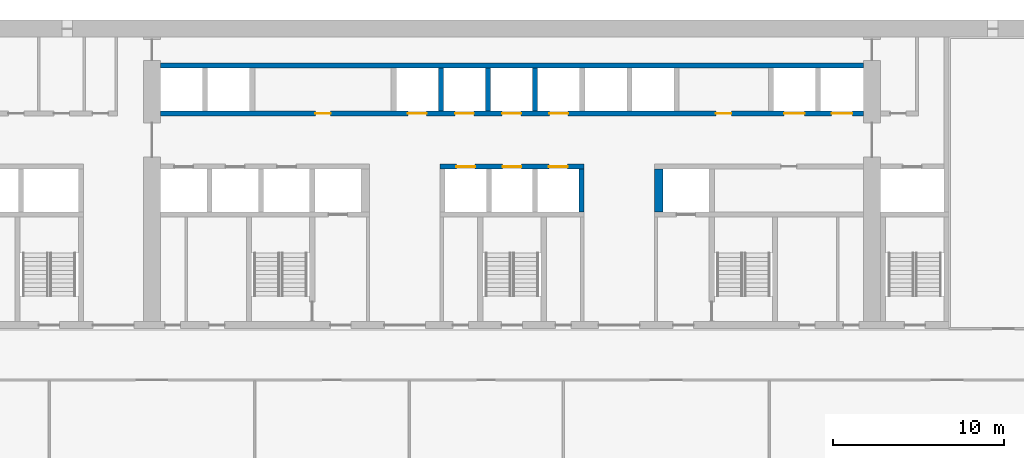
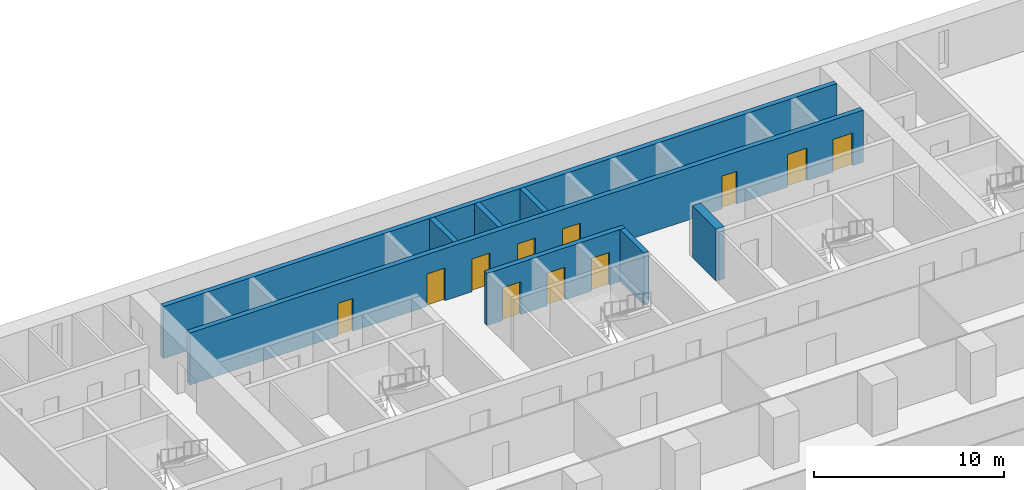
# One storey, part 11 of 17: 11 doors, 8 walls, 11 openings.
"""IFC4 building model written with IfcOpenShell, lengths in metres."""

from ifc_helpers import new_model, si_unit, direction, frame, frame_2d, origin, place, context, subcontext, project, spatial, rectangle, extrude, material, layer, layer_set, type_object, element, fill, save


model = new_model("IFC4")

# Units and contexts
model_context = context("Model", 3, precision=1e-05, world=origin(), true_north=direction((0.0, 1.0)))
body_context = subcontext(model_context, "Body", "Model", "MODEL_VIEW")
ifc_project = project(units=[si_unit("LENGTHUNIT", "METRE"), si_unit("AREAUNIT", "SQUARE_METRE"), si_unit("VOLUMEUNIT", "CUBIC_METRE"), si_unit("PLANEANGLEUNIT", "RADIAN"), si_unit("MASSUNIT", "GRAM", prefix="KILO")], contexts=[model_context])

# Site, building, storey
site_placement = place(None, origin())
site = spatial("IfcSite", under=ifc_project, at=site_placement, CompositionType="ELEMENT")
building_placement = place(site_placement, origin())
building = spatial("IfcBuilding", under=site, at=building_placement, Name="Calvaro Tower", CompositionType="ELEMENT")
storey_placement = place(building_placement, frame((0.0, 0.0, 75.0)))
storey = spatial("IfcBuildingStorey", under=building, at=storey_placement, Name="L18", CompositionType="ELEMENT", Elevation=75.0)

# Wall, openings, doors
ifc_material_1 = material(Name="Concrete C80/95", Category="concrete")
ifc_layer_1 = layer(ifc_material_1, 0.300048828125)
ifc_layer_set_1 = layer_set([ifc_layer_1], Name="Concrete C80/95")
wall_type_1 = type_object("IfcWallType", Name="Core wall C80/95 300", PredefinedType="SHEAR", material=ifc_layer_set_1)
wall_1_placement = place(storey_placement, frame((34.800048828125, 37.449951171875, 0.0), z_axis=(0.0, 0.0, 1.0), x_axis=(1.0, 0.0, 0.0)))
wall_1 = element("IfcWall", 1, at=wall_1_placement, inside=storey, type_object=wall_type_1, Name="Core wall, lift shaft", PredefinedType="SHEAR", context=body_context, shape_type="SweptSolid", body=[
    extrude(rectangle(XDim=8.39990234375, YDim=0.300048828125, at=frame_2d((4.199951171875, 0.0))), origin(), (0.0, 0.0, 1.0), 3.35009765625),
])
opening_1_placement = place(wall_1_placement, frame((0.949951171875, 0.0, 0.0)))
opening_1 = element("IfcOpeningElement", 2, at=opening_1_placement, cuts=wall_1, Name="Opening LR4", PredefinedType="OPENING", context=body_context, shape_type="SweptSolid", body=[
    extrude(rectangle(XDim=1.10009765625, YDim=2.10009765625, at=frame_2d((0.550048828125, 1.050048828125))), frame((0.0, 0.159912109375, 0.0), z_axis=(0.0, -1.0, 0.0), x_axis=(1.0, 0.0, 0.0)), (0.0, 0.0, 1.0), 0.320068359375),
])
opening_2_placement = place(wall_1_placement, frame((3.64990234375, 0.0, 0.0)))
opening_2 = element("IfcOpeningElement", 3, at=opening_2_placement, cuts=wall_1, Name="Opening LR5", PredefinedType="OPENING", context=body_context, shape_type="SweptSolid", body=[
    extrude(rectangle(XDim=1.10009765625, YDim=2.10009765625, at=frame_2d((0.550048828125, 1.050048828125))), frame((0.0, 0.159912109375, 0.0), z_axis=(0.0, -1.0, 0.0), x_axis=(1.0, 0.0, 0.0)), (0.0, 0.0, 1.0), 0.320068359375),
])
opening_3_placement = place(wall_1_placement, frame((6.35009765625, 0.0, 0.0)))
opening_3 = element("IfcOpeningElement", 4, at=opening_3_placement, cuts=wall_1, Name="Opening LR6", PredefinedType="OPENING", context=body_context, shape_type="SweptSolid", body=[
    extrude(rectangle(XDim=1.10009765625, YDim=2.10009765625, at=frame_2d((0.550048828125, 1.050048828125))), frame((0.0, 0.159912109375, 0.0), z_axis=(0.0, -1.0, 0.0), x_axis=(1.0, 0.0, 0.0)), (0.0, 0.0, 1.0), 0.320068359375),
])
ifc_material_2 = material(Name="Stainless steel", Category="steel")
door_type_1 = type_object("IfcDoorType", Name="Landing door 1100 E 60", OperationType="SLIDING_TO_LEFT", PredefinedType="DOOR", material=ifc_material_2)
door_1_placement = place(opening_1_placement, origin())
door_1 = element("IfcDoor", 5, at=door_1_placement, inside=storey, type_object=door_type_1, Name="Landing door LR4", OperationType="SLIDING_TO_LEFT", OverallHeight=2.10009765625, OverallWidth=1.10009765625, PredefinedType="DOOR", context=body_context, shape_type="SweptSolid", body=[
    extrude(rectangle(XDim=1.10009765625, YDim=2.10009765625, at=frame_2d((0.550048828125, 1.050048828125))), frame((0.0, 0.02490234375, 0.0), z_axis=(0.0, -1.0, 0.0), x_axis=(1.0, 0.0, 0.0)), (0.0, 0.0, 1.0), 0.050048828125),
])
fill(opening_1, door_1)
door_2_placement = place(opening_2_placement, origin())
door_2 = element("IfcDoor", 6, at=door_2_placement, inside=storey, type_object=door_type_1, Name="Landing door LR5", OperationType="SLIDING_TO_LEFT", OverallHeight=2.10009765625, OverallWidth=1.10009765625, PredefinedType="DOOR", context=body_context, shape_type="SweptSolid", body=[
    extrude(rectangle(XDim=1.10009765625, YDim=2.10009765625, at=frame_2d((0.550048828125, 1.050048828125))), frame((0.0, 0.02490234375, 0.0), z_axis=(0.0, -1.0, 0.0), x_axis=(1.0, 0.0, 0.0)), (0.0, 0.0, 1.0), 0.050048828125),
])
fill(opening_2, door_2)
door_3_placement = place(opening_3_placement, origin())
door_3 = element("IfcDoor", 7, at=door_3_placement, inside=storey, type_object=door_type_1, Name="Landing door LR6", OperationType="SLIDING_TO_LEFT", OverallHeight=2.10009765625, OverallWidth=1.10009765625, PredefinedType="DOOR", context=body_context, shape_type="SweptSolid", body=[
    extrude(rectangle(XDim=1.10009765625, YDim=2.10009765625, at=frame_2d((0.550048828125, 1.050048828125))), frame((0.0, 0.02490234375, 0.0), z_axis=(0.0, -1.0, 0.0), x_axis=(1.0, 0.0, 0.0)), (0.0, 0.0, 1.0), 0.050048828125),
])
fill(opening_3, door_3)

# Wall
wall_2_placement = place(storey_placement, frame((43.050048828125, 34.800048828125, 0.0), z_axis=(0.0, 0.0, 1.0), x_axis=(0.0, 1.0, 0.0)))
element("IfcWall", 8, at=wall_2_placement, inside=storey, type_object=wall_type_1, Name="Core wall, lift shaft", PredefinedType="SHEAR", context=body_context, shape_type="SweptSolid", body=[
    extrude(rectangle(XDim=2.5, YDim=0.300048828125, at=frame_2d((1.25, 0.0))), origin(), (0.0, 0.0, 1.0), 3.35009765625),
])

# Wall, openings, doors
wall_3_placement = place(storey_placement, frame((18.5, 40.550048828125, 0.0), z_axis=(0.0, 0.0, 1.0), x_axis=(1.0, 0.0, 0.0)))
wall_3 = element("IfcWall", 9, at=wall_3_placement, inside=storey, type_object=wall_type_1, Name="Core wall, bay", PredefinedType="SHEAR", context=body_context, shape_type="SweptSolid", body=[
    extrude(rectangle(XDim=41.0, YDim=0.300048828125, at=frame_2d((20.5, 0.0))), origin(), (0.0, 0.0, 1.0), 3.35009765625),
])
opening_4_placement = place(wall_3_placement, frame((9.02490234375, 0.0, 0.0)))
opening_4 = element("IfcOpeningElement", 10, at=opening_4_placement, cuts=wall_3, Name="Opening RD9E", PredefinedType="OPENING", context=body_context, shape_type="SweptSolid", body=[
    extrude(rectangle(XDim=0.89990234375, YDim=2.10009765625, at=frame_2d((0.449951171875, 1.050048828125))), frame((0.0, 0.159912109375, 0.0), z_axis=(0.0, -1.0, 0.0), x_axis=(1.0, 0.0, 0.0)), (0.0, 0.0, 1.0), 0.320068359375),
])
opening_5_placement = place(wall_3_placement, frame((32.39990234375, 0.0, 0.0)))
opening_5 = element("IfcOpeningElement", 11, at=opening_5_placement, cuts=wall_3, Name="Opening RD9E", PredefinedType="OPENING", context=body_context, shape_type="SweptSolid", body=[
    extrude(rectangle(XDim=0.89990234375, YDim=2.10009765625, at=frame_2d((0.449951171875, 1.050048828125))), frame((0.0, 0.159912109375, 0.0), z_axis=(0.0, -1.0, 0.0), x_axis=(1.0, 0.0, 0.0)), (0.0, 0.0, 1.0), 0.320068359375),
])
opening_6_placement = place(wall_3_placement, frame((14.425048828125, 0.0, 0.0)))
opening_6 = element("IfcOpeningElement", 12, at=opening_6_placement, cuts=wall_3, Name="Opening LR7", PredefinedType="OPENING", context=body_context, shape_type="SweptSolid", body=[
    extrude(rectangle(XDim=1.10009765625, YDim=2.10009765625, at=frame_2d((0.550048828125, 1.050048828125))), frame((0.0, 0.159912109375, 0.0), z_axis=(0.0, -1.0, 0.0), x_axis=(1.0, 0.0, 0.0)), (0.0, 0.0, 1.0), 0.320068359375),
])
opening_7_placement = place(wall_3_placement, frame((17.175048828125, 0.0, 0.0)))
opening_7 = element("IfcOpeningElement", 13, at=opening_7_placement, cuts=wall_3, Name="Opening LR8", PredefinedType="OPENING", context=body_context, shape_type="SweptSolid", body=[
    extrude(rectangle(XDim=1.10009765625, YDim=2.10009765625, at=frame_2d((0.550048828125, 1.050048828125))), frame((0.0, 0.159912109375, 0.0), z_axis=(0.0, -1.0, 0.0), x_axis=(1.0, 0.0, 0.0)), (0.0, 0.0, 1.0), 0.320068359375),
])
opening_8_placement = place(wall_3_placement, frame((19.925048828125, 0.0, 0.0)))
opening_8 = element("IfcOpeningElement", 14, at=opening_8_placement, cuts=wall_3, Name="Opening LR9", PredefinedType="OPENING", context=body_context, shape_type="SweptSolid", body=[
    extrude(rectangle(XDim=1.10009765625, YDim=2.10009765625, at=frame_2d((0.550048828125, 1.050048828125))), frame((0.0, 0.159912109375, 0.0), z_axis=(0.0, -1.0, 0.0), x_axis=(1.0, 0.0, 0.0)), (0.0, 0.0, 1.0), 0.320068359375),
])
opening_9_placement = place(wall_3_placement, frame((22.675048828125, 0.0, 0.0)))
opening_9 = element("IfcOpeningElement", 15, at=opening_9_placement, cuts=wall_3, Name="Opening LR10", PredefinedType="OPENING", context=body_context, shape_type="SweptSolid", body=[
    extrude(rectangle(XDim=1.10009765625, YDim=2.10009765625, at=frame_2d((0.550048828125, 1.050048828125))), frame((0.0, 0.159912109375, 0.0), z_axis=(0.0, -1.0, 0.0), x_axis=(1.0, 0.0, 0.0)), (0.0, 0.0, 1.0), 0.320068359375),
])
opening_10_placement = place(wall_3_placement, frame((36.375, 0.0, 0.0)))
opening_10 = element("IfcOpeningElement", 16, at=opening_10_placement, cuts=wall_3, Name="Opening SV1", PredefinedType="OPENING", context=body_context, shape_type="SweptSolid", body=[
    extrude(rectangle(XDim=1.199951171875, YDim=2.10009765625, at=frame_2d((0.60009765625, 1.050048828125))), frame((0.0, 0.159912109375, 0.0), z_axis=(0.0, -1.0, 0.0), x_axis=(1.0, 0.0, 0.0)), (0.0, 0.0, 1.0), 0.320068359375),
])
opening_11_placement = place(wall_3_placement, frame((39.14990234375, 0.0, 0.0)))
opening_11 = element("IfcOpeningElement", 17, at=opening_11_placement, cuts=wall_3, Name="Opening SV2", PredefinedType="OPENING", context=body_context, shape_type="SweptSolid", body=[
    extrude(rectangle(XDim=1.199951171875, YDim=2.10009765625, at=frame_2d((0.60009765625, 1.050048828125))), frame((0.0, 0.159912109375, 0.0), z_axis=(0.0, -1.0, 0.0), x_axis=(1.0, 0.0, 0.0)), (0.0, 0.0, 1.0), 0.320068359375),
])
door_4_placement = place(opening_6_placement, origin())
door_4 = element("IfcDoor", 18, at=door_4_placement, inside=storey, type_object=door_type_1, Name="Landing door LR7", OperationType="SLIDING_TO_LEFT", OverallHeight=2.10009765625, OverallWidth=1.10009765625, PredefinedType="DOOR", context=body_context, shape_type="SweptSolid", body=[
    extrude(rectangle(XDim=1.10009765625, YDim=2.10009765625, at=frame_2d((0.550048828125, 1.050048828125))), frame((0.0, 0.02490234375, 0.0), z_axis=(0.0, -1.0, 0.0), x_axis=(1.0, 0.0, 0.0)), (0.0, 0.0, 1.0), 0.050048828125),
])
fill(opening_6, door_4)
door_5_placement = place(opening_7_placement, origin())
door_5 = element("IfcDoor", 19, at=door_5_placement, inside=storey, type_object=door_type_1, Name="Landing door LR8", OperationType="SLIDING_TO_LEFT", OverallHeight=2.10009765625, OverallWidth=1.10009765625, PredefinedType="DOOR", context=body_context, shape_type="SweptSolid", body=[
    extrude(rectangle(XDim=1.10009765625, YDim=2.10009765625, at=frame_2d((0.550048828125, 1.050048828125))), frame((0.0, 0.02490234375, 0.0), z_axis=(0.0, -1.0, 0.0), x_axis=(1.0, 0.0, 0.0)), (0.0, 0.0, 1.0), 0.050048828125),
])
fill(opening_7, door_5)
door_6_placement = place(opening_8_placement, origin())
door_6 = element("IfcDoor", 20, at=door_6_placement, inside=storey, type_object=door_type_1, Name="Landing door LR9", OperationType="SLIDING_TO_LEFT", OverallHeight=2.10009765625, OverallWidth=1.10009765625, PredefinedType="DOOR", context=body_context, shape_type="SweptSolid", body=[
    extrude(rectangle(XDim=1.10009765625, YDim=2.10009765625, at=frame_2d((0.550048828125, 1.050048828125))), frame((0.0, 0.02490234375, 0.0), z_axis=(0.0, -1.0, 0.0), x_axis=(1.0, 0.0, 0.0)), (0.0, 0.0, 1.0), 0.050048828125),
])
fill(opening_8, door_6)
door_7_placement = place(opening_9_placement, origin())
door_7 = element("IfcDoor", 21, at=door_7_placement, inside=storey, type_object=door_type_1, Name="Landing door LR10", OperationType="SLIDING_TO_LEFT", OverallHeight=2.10009765625, OverallWidth=1.10009765625, PredefinedType="DOOR", context=body_context, shape_type="SweptSolid", body=[
    extrude(rectangle(XDim=1.10009765625, YDim=2.10009765625, at=frame_2d((0.550048828125, 1.050048828125))), frame((0.0, 0.02490234375, 0.0), z_axis=(0.0, -1.0, 0.0), x_axis=(1.0, 0.0, 0.0)), (0.0, 0.0, 1.0), 0.050048828125),
])
fill(opening_9, door_7)
ifc_material_3 = material(Name="Stainless steel", Category="steel")
door_type_2 = type_object("IfcDoorType", Name="Landing door 1200 E 60", OperationType="SLIDING_TO_LEFT", PredefinedType="DOOR", material=ifc_material_3)
door_8_placement = place(opening_10_placement, origin())
door_8 = element("IfcDoor", 22, at=door_8_placement, inside=storey, type_object=door_type_2, Name="Landing door SV1", OperationType="SLIDING_TO_LEFT", OverallHeight=2.10009765625, OverallWidth=1.199951171875, PredefinedType="DOOR", context=body_context, shape_type="SweptSolid", body=[
    extrude(rectangle(XDim=1.199951171875, YDim=2.10009765625, at=frame_2d((0.60009765625, 1.050048828125))), frame((0.0, 0.02490234375, 0.0), z_axis=(0.0, -1.0, 0.0), x_axis=(1.0, 0.0, 0.0)), (0.0, 0.0, 1.0), 0.050048828125),
])
fill(opening_10, door_8)
door_9_placement = place(opening_11_placement, origin())
door_9 = element("IfcDoor", 23, at=door_9_placement, inside=storey, type_object=door_type_2, Name="Landing door SV2", OperationType="SLIDING_TO_LEFT", OverallHeight=2.10009765625, OverallWidth=1.199951171875, PredefinedType="DOOR", context=body_context, shape_type="SweptSolid", body=[
    extrude(rectangle(XDim=1.199951171875, YDim=2.10009765625, at=frame_2d((0.60009765625, 1.050048828125))), frame((0.0, 0.02490234375, 0.0), z_axis=(0.0, -1.0, 0.0), x_axis=(1.0, 0.0, 0.0)), (0.0, 0.0, 1.0), 0.050048828125),
])
fill(opening_11, door_9)
ifc_material_4 = material(Name="Steel door set", Category="steel")
door_type_3 = type_object("IfcDoorType", Name="Room door 900 FD60", OperationType="SINGLE_SWING_LEFT", PredefinedType="DOOR", material=ifc_material_4)
door_10_placement = place(opening_4_placement, origin())
door_10 = element("IfcDoor", 24, at=door_10_placement, inside=storey, type_object=door_type_3, Name="Room door", OperationType="SINGLE_SWING_RIGHT", OverallHeight=2.10009765625, OverallWidth=0.89990234375, PredefinedType="DOOR", context=body_context, shape_type="SweptSolid", body=[
    extrude(rectangle(XDim=0.89990234375, YDim=2.10009765625, at=frame_2d((0.449951171875, 1.050048828125))), frame((0.0, 0.02490234375, 0.0), z_axis=(0.0, -1.0, 0.0), x_axis=(1.0, 0.0, 0.0)), (0.0, 0.0, 1.0), 0.050048828125),
])
fill(opening_4, door_10)
door_11_placement = place(opening_5_placement, origin())
door_11 = element("IfcDoor", 25, at=door_11_placement, inside=storey, type_object=door_type_3, Name="Room door", OperationType="SINGLE_SWING_LEFT", OverallHeight=2.10009765625, OverallWidth=0.89990234375, PredefinedType="DOOR", context=body_context, shape_type="SweptSolid", body=[
    extrude(rectangle(XDim=0.89990234375, YDim=2.10009765625, at=frame_2d((0.449951171875, 1.050048828125))), frame((0.0, 0.02490234375, 0.0), z_axis=(0.0, -1.0, 0.0), x_axis=(1.0, 0.0, 0.0)), (0.0, 0.0, 1.0), 0.050048828125),
])
fill(opening_5, door_11)

# Walls
wall_4_placement = place(storey_placement, frame((18.5, 43.35009765625, 0.0), z_axis=(0.0, 0.0, 1.0), x_axis=(1.0, 0.0, 0.0)))
element("IfcWall", 26, at=wall_4_placement, inside=storey, type_object=wall_type_1, Name="Core wall, lift shaft", PredefinedType="SHEAR", context=body_context, shape_type="SweptSolid", body=[
    extrude(rectangle(XDim=41.0, YDim=0.300048828125, at=frame_2d((20.5, 0.0))), origin(), (0.0, 0.0, 1.0), 3.35009765625),
])
for number, where, z_axis, x_axis, name in (
    (27, (34.85009765625, 40.699951171875, 0.0), (0.0, 0.0, 1.0), (0.0, 1.0, 0.0), "Core wall, lift shaft"),
    (28, (37.60009765625, 40.699951171875, 0.0), (0.0, 0.0, 1.0), (0.0, 1.0, 0.0), "Core wall, lift shaft"),
    (29, (40.35009765625, 40.699951171875, 0.0), (0.0, 0.0, 1.0), (0.0, 1.0, 0.0), "Core wall, lift shaft"),
):
    element("IfcWall", number, at=place(storey_placement, frame(where, z_axis=z_axis, x_axis=x_axis)), inside=storey, type_object=wall_type_1, Name=name, PredefinedType="SHEAR", context=body_context, shape_type="SweptSolid", body=[
        extrude(rectangle(XDim=2.5, YDim=0.300048828125, at=frame_2d((1.25, 0.0))), origin(), (0.0, 0.0, 1.0), 3.35009765625),
    ])
ifc_material_5 = material(Name="Concrete C80/95", Category="concrete")
ifc_layer_2 = layer(ifc_material_5, 0.5)
ifc_layer_set_2 = layer_set([ifc_layer_2], Name="Concrete C80/95")
wall_type_2 = type_object("IfcWallType", Name="Core wall C80/95 500", PredefinedType="SHEAR", material=ifc_layer_set_2)
wall_5_placement = place(storey_placement, frame((47.550048828125, 34.800048828125, 0.0), z_axis=(0.0, 0.0, 1.0), x_axis=(0.0, 1.0, 0.0)))
element("IfcWall", 30, at=wall_5_placement, inside=storey, type_object=wall_type_2, Name="Core wall, lift shaft", PredefinedType="SHEAR", context=body_context, shape_type="SweptSolid", body=[
    extrude(rectangle(XDim=2.5, YDim=0.5, at=frame_2d((1.25, 0.0))), origin(), (0.0, 0.0, 1.0), 3.35009765625),
])

save(model, "model.ifc")
